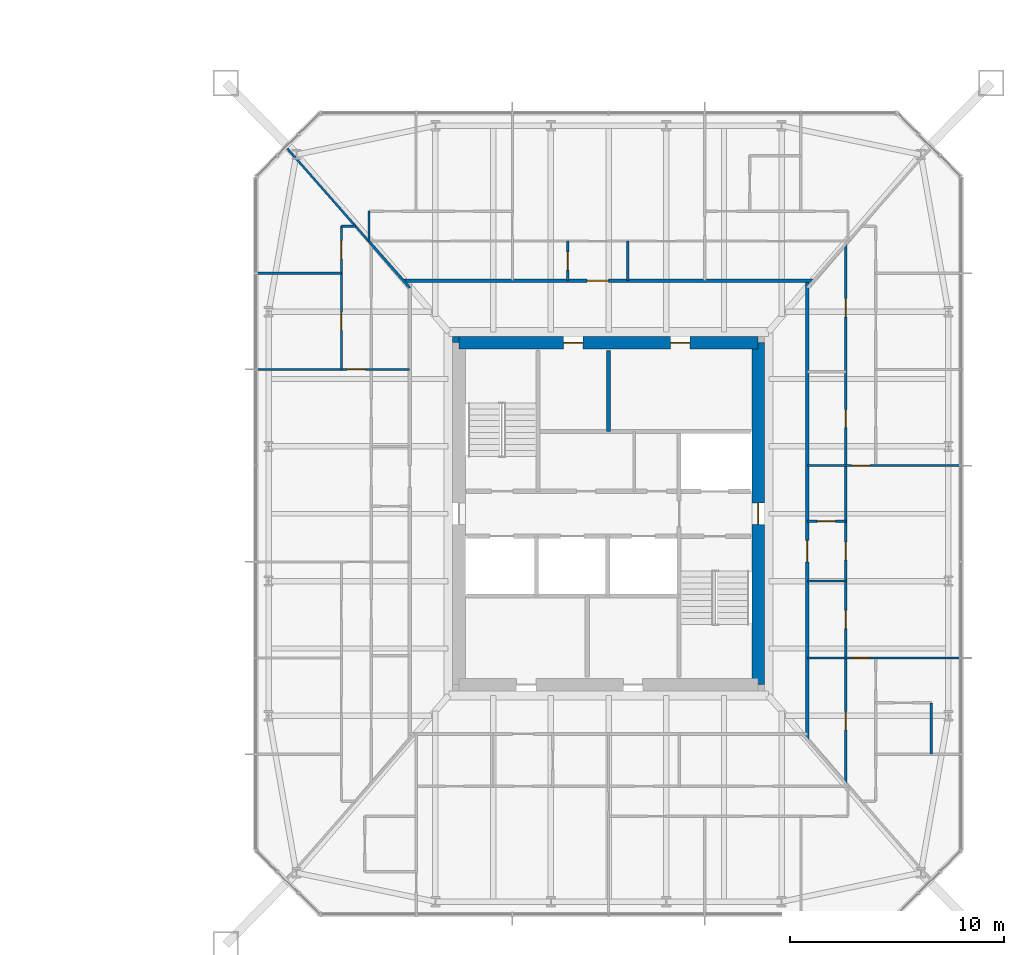
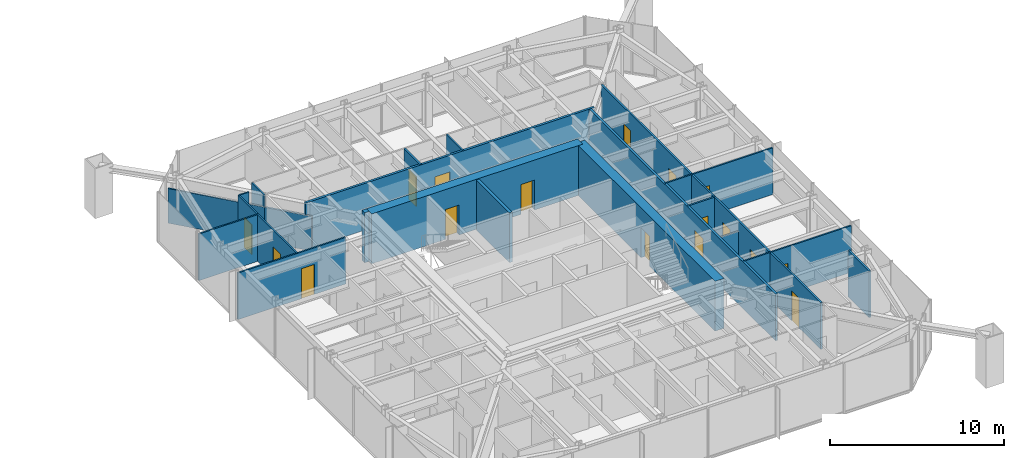
# One storey, part 20 of 26: 21 walls, 17 doors, 17 openings.
"""IFC4 building model written with IfcOpenShell, lengths in metres."""

from ifc_helpers import new_model, si_unit, direction, frame, frame_2d, origin, place, context, subcontext, project, spatial, rectangle, extrude, material, layer, layer_set, type_object, element, fill, save


model = new_model("IFC4")

# Units and contexts
model_context = context("Model", 3, precision=1e-05, world=origin(), true_north=direction((0.0, 1.0)))
body_context = subcontext(model_context, "Body", "Model", "MODEL_VIEW")
ifc_project = project(units=[si_unit("LENGTHUNIT", "METRE"), si_unit("AREAUNIT", "SQUARE_METRE"), si_unit("VOLUMEUNIT", "CUBIC_METRE"), si_unit("PLANEANGLEUNIT", "RADIAN"), si_unit("MASSUNIT", "GRAM", prefix="KILO")], contexts=[model_context])

# Site, building, storey
site_placement = place(None, origin())
site = spatial("IfcSite", under=ifc_project, at=site_placement, CompositionType="ELEMENT")
building_placement = place(site_placement, origin())
building = spatial("IfcBuilding", under=site, at=building_placement, Name="Iwan Alto Co-Living Towers", CompositionType="ELEMENT")
storey_placement = place(building_placement, frame((0.0, 0.0, 36.0)))
storey = spatial("IfcBuildingStorey", under=building, at=storey_placement, Name="L09", CompositionType="ELEMENT", Elevation=36.0)

# Wall, opening, door
ifc_material_1 = material(Name="Gypsum board")
ifc_layer_1 = layer(ifc_material_1, 0.02490234375, Name="Board", Category="Finish")
ifc_material_2 = material(Name="Steel ASTM A1003 ST33H cold-formed studs", Category="steel")
ifc_layer_2 = layer(ifc_material_2, 0.10009765625, Name="Studs", Category="Framing")
ifc_layer_3 = layer(ifc_material_1, 0.02490234375, Name="Board", Category="Finish")
ifc_layer_set_1 = layer_set([ifc_layer_1, ifc_layer_2, ifc_layer_3], Name="CORRIDOR WALL 150")
wall_type_1 = type_object("IfcWallType", Name="CORRIDOR WALL 150", PredefinedType="PARTITIONING", material=ifc_layer_set_1)
wall_1_placement = place(storey_placement, frame((53.407958984375, 10.89990234375, 0.0), z_axis=(0.0, 0.0, 1.0), x_axis=(1.0, 0.0, 0.0)))
wall_1 = element("IfcWall", 1, at=wall_1_placement, inside=storey, type_object=wall_type_1, Name="Partition L09", PredefinedType="PARTITIONING", context=body_context, shape_type="SweptSolid", body=[
    extrude(rectangle(XDim=19.18408203125, YDim=0.14990234375, at=frame_2d((9.592041015625, 0.0))), origin(), (0.0, 0.0, 1.0), 3.27001953125),
])
opening_1_placement = place(wall_1_placement, frame((8.592041015625, 0.0, 0.0)))
opening_1 = element("IfcOpeningElement", 2, at=opening_1_placement, cuts=wall_1, Name="Opening D3", PredefinedType="OPENING", context=body_context, shape_type="SweptSolid", body=[
    extrude(rectangle(XDim=1.0, YDim=2.10009765625, at=frame_2d((0.5, 1.050048828125))), frame((0.0, 0.0849609375, 0.0), z_axis=(0.0, -1.0, 0.0), x_axis=(1.0, 0.0, 0.0)), (0.0, 0.0, 1.0), 0.169921875),
])
ifc_material_3 = material(Name="Steel frame with timber leaf", Category="steel")
door_type_1 = type_object("IfcDoorType", Name="FLAT ENTRANCE DOOR FD30S 1000X2100", OperationType="SINGLE_SWING_LEFT", PredefinedType="DOOR", material=ifc_material_3)
door_1_placement = place(opening_1_placement, origin())
door_1 = element("IfcDoor", 3, at=door_1_placement, inside=storey, type_object=door_type_1, Name="Apartment foyer door L09", OperationType="SINGLE_SWING_LEFT", OverallHeight=2.10009765625, OverallWidth=1.0, PredefinedType="DOOR", context=body_context, shape_type="SweptSolid", body=[
    extrude(rectangle(XDim=1.0, YDim=2.10009765625, at=frame_2d((0.5, 1.050048828125))), frame((0.0, 0.02490234375, 0.0), z_axis=(0.0, -1.0, 0.0), x_axis=(1.0, 0.0, 0.0)), (0.0, 0.0, 1.0), 0.050048828125),
])
fill(opening_1, door_1)

wall_2_placement = place(storey_placement, frame((72.300048828125, -10.568115234375, 0.0), z_axis=(0.0, 0.0, 1.0), x_axis=(0.0, 1.0, 0.0)))
wall_2 = element("IfcWall", 4, at=wall_2_placement, inside=storey, type_object=wall_type_1, Name="Partition L09", PredefinedType="PARTITIONING", context=body_context, shape_type="SweptSolid", body=[
    extrude(rectangle(XDim=21.468017578125, YDim=0.14990234375, at=frame_2d((10.73388671875, 0.0))), origin(), (0.0, 0.0, 1.0), 3.27001953125),
])
opening_2_placement = place(wall_2_placement, frame((8.318115234375, 0.0, 0.0)))
opening_2 = element("IfcOpeningElement", 5, at=opening_2_placement, cuts=wall_2, Name="Opening D3", PredefinedType="OPENING", context=body_context, shape_type="SweptSolid", body=[
    extrude(rectangle(XDim=1.0, YDim=2.10009765625, at=frame_2d((0.5, 1.050048828125))), frame((0.0, 0.0849609375, 0.0), z_axis=(0.0, -1.0, 0.0), x_axis=(1.0, 0.0, 0.0)), (0.0, 0.0, 1.0), 0.169921875),
])
door_2_placement = place(opening_2_placement, frame((1.0, 0.0, 0.0), z_axis=(0.0, 0.0, 1.0), x_axis=(-1.0, 0.0, 0.0)))
door_2 = element("IfcDoor", 6, at=door_2_placement, inside=storey, type_object=door_type_1, Name="Apartment foyer door L09", OperationType="SINGLE_SWING_RIGHT", OverallHeight=2.10009765625, OverallWidth=1.0, PredefinedType="DOOR", context=body_context, shape_type="SweptSolid", body=[
    extrude(rectangle(XDim=1.0, YDim=2.10009765625, at=frame_2d((0.5, 1.050048828125))), frame((0.0, 0.02490234375, 0.0), z_axis=(0.0, -1.0, 0.0), x_axis=(1.0, 0.0, 0.0)), (0.0, 0.0, 1.0), 0.050048828125),
])
fill(opening_2, door_2)

ifc_layer_4 = layer(ifc_material_1, 0.012451171875, Name="Board", Category="Finish")
ifc_layer_5 = layer(ifc_material_2, 0.074951171875, Name="Studs", Category="Framing")
ifc_layer_6 = layer(ifc_material_1, 0.012451171875, Name="Board", Category="Finish")
ifc_layer_set_2 = layer_set([ifc_layer_4, ifc_layer_5, ifc_layer_6], Name="PARTITION 100")
wall_type_2 = type_object("IfcWallType", Name="PARTITION 100", PredefinedType="PARTITIONING", material=ifc_layer_set_2)
wall_3_placement = place(storey_placement, frame((72.300048828125, -6.75, 0.0), z_axis=(0.0, 0.0, 1.0), x_axis=(1.0, 0.0, 0.0)))
wall_3 = element("IfcWall", 7, at=wall_3_placement, inside=storey, type_object=wall_type_2, Name="Partition L09", PredefinedType="PARTITIONING", context=body_context, shape_type="SweptSolid", body=[
    extrude(rectangle(XDim=7.139892578125, YDim=0.10009765625, at=frame_2d((3.56982421875, 0.0))), origin(), (0.0, 0.0, 1.0), 3.27001953125),
])
opening_3_placement = place(wall_3_placement, frame((2.074951171875, 0.0, 0.0)))
opening_3 = element("IfcOpeningElement", 8, at=opening_3_placement, cuts=wall_3, Name="Opening D2", PredefinedType="OPENING", context=body_context, shape_type="SweptSolid", body=[
    extrude(rectangle(XDim=0.85009765625, YDim=2.10009765625, at=frame_2d((0.425048828125, 1.050048828125))), frame((0.0, 0.06005859375, 0.0), z_axis=(0.0, -1.0, 0.0), x_axis=(1.0, 0.0, 0.0)), (0.0, 0.0, 1.0), 0.1201171875),
])
ifc_material_4 = material(Name="Timber leaf in steel frame", Category="steel")
door_type_2 = type_object("IfcDoorType", Name="ROOM DOOR 850X2100", OperationType="SINGLE_SWING_LEFT", PredefinedType="DOOR", material=ifc_material_4)
door_3_placement = place(opening_3_placement, origin())
door_3 = element("IfcDoor", 9, at=door_3_placement, inside=storey, type_object=door_type_2, Name="Apartment hall door L09", OperationType="SINGLE_SWING_LEFT", OverallHeight=2.10009765625, OverallWidth=0.85009765625, PredefinedType="DOOR", context=body_context, shape_type="SweptSolid", body=[
    extrude(rectangle(XDim=0.85009765625, YDim=2.10009765625, at=frame_2d((0.425048828125, 1.050048828125))), frame((0.0, 0.02490234375, 0.0), z_axis=(0.0, -1.0, 0.0), x_axis=(1.0, 0.0, 0.0)), (0.0, 0.0, 1.0), 0.050048828125),
])
fill(opening_3, door_3)

# Wall
wall_4_placement = place(storey_placement, frame((72.300048828125, -3.14990234375, 0.0), z_axis=(0.0, 0.0, 1.0), x_axis=(1.0, 0.0, 0.0)))
element("IfcWall", 10, at=wall_4_placement, inside=storey, type_object=wall_type_2, Name="Partition L09", PredefinedType="PARTITIONING", context=body_context, shape_type="SweptSolid", body=[
    extrude(rectangle(XDim=1.800048828125, YDim=0.10009765625, at=frame_2d((0.89990234375, 0.0))), origin(), (0.0, 0.0, 1.0), 2.586669921875),
])

# Wall, opening, door
wall_5_placement = place(storey_placement, frame((72.300048828125, 2.25, 0.0), z_axis=(0.0, 0.0, 1.0), x_axis=(1.0, 0.0, 0.0)))
wall_5 = element("IfcWall", 11, at=wall_5_placement, inside=storey, type_object=wall_type_2, Name="Partition L09", PredefinedType="PARTITIONING", context=body_context, shape_type="SweptSolid", body=[
    extrude(rectangle(XDim=7.139892578125, YDim=0.10009765625, at=frame_2d((3.56982421875, 0.0))), origin(), (0.0, 0.0, 1.0), 3.27001953125),
])
opening_4_placement = place(wall_5_placement, frame((2.074951171875, 0.0, 0.0)))
opening_4 = element("IfcOpeningElement", 12, at=opening_4_placement, cuts=wall_5, Name="Opening D2", PredefinedType="OPENING", context=body_context, shape_type="SweptSolid", body=[
    extrude(rectangle(XDim=0.85009765625, YDim=2.10009765625, at=frame_2d((0.425048828125, 1.050048828125))), frame((0.0, 0.06005859375, 0.0), z_axis=(0.0, -1.0, 0.0), x_axis=(1.0, 0.0, 0.0)), (0.0, 0.0, 1.0), 0.1201171875),
])
door_4_placement = place(opening_4_placement, frame((0.85009765625, 0.0, 0.0), z_axis=(0.0, 0.0, 1.0), x_axis=(-1.0, 0.0, 0.0)))
door_4 = element("IfcDoor", 13, at=door_4_placement, inside=storey, type_object=door_type_2, Name="Apartment hall door L09", OperationType="SINGLE_SWING_RIGHT", OverallHeight=2.10009765625, OverallWidth=0.85009765625, PredefinedType="DOOR", context=body_context, shape_type="SweptSolid", body=[
    extrude(rectangle(XDim=0.85009765625, YDim=2.10009765625, at=frame_2d((0.425048828125, 1.050048828125))), frame((0.0, 0.02490234375, 0.0), z_axis=(0.0, -1.0, 0.0), x_axis=(1.0, 0.0, 0.0)), (0.0, 0.0, 1.0), 0.050048828125),
])
fill(opening_4, door_4)

wall_6_placement = place(storey_placement, frame((46.56005859375, 6.75, 0.0), z_axis=(0.0, 0.0, 1.0), x_axis=(1.0, 0.0, 0.0)))
wall_6 = element("IfcWall", 14, at=wall_6_placement, inside=storey, type_object=wall_type_2, Name="Partition L09", PredefinedType="PARTITIONING", context=body_context, shape_type="SweptSolid", body=[
    extrude(rectangle(XDim=7.139892578125, YDim=0.10009765625, at=frame_2d((3.56982421875, 0.0))), origin(), (0.0, 0.0, 1.0), 3.27001953125),
])
opening_5_placement = place(wall_6_placement, frame((4.215087890625, 0.0, 0.0)))
opening_5 = element("IfcOpeningElement", 15, at=opening_5_placement, cuts=wall_6, Name="Opening D2", PredefinedType="OPENING", context=body_context, shape_type="SweptSolid", body=[
    extrude(rectangle(XDim=0.85009765625, YDim=2.10009765625, at=frame_2d((0.425048828125, 1.050048828125))), frame((0.0, 0.06005859375, 0.0), z_axis=(0.0, -1.0, 0.0), x_axis=(1.0, 0.0, 0.0)), (0.0, 0.0, 1.0), 0.1201171875),
])
door_5_placement = place(opening_5_placement, frame((0.85009765625, 0.0, 0.0), z_axis=(0.0, 0.0, 1.0), x_axis=(-1.0, 0.0, 0.0)))
door_5 = element("IfcDoor", 16, at=door_5_placement, inside=storey, type_object=door_type_2, Name="Apartment hall door L09", OperationType="SINGLE_SWING_LEFT", OverallHeight=2.10009765625, OverallWidth=0.85009765625, PredefinedType="DOOR", context=body_context, shape_type="SweptSolid", body=[
    extrude(rectangle(XDim=0.85009765625, YDim=2.10009765625, at=frame_2d((0.425048828125, 1.050048828125))), frame((0.0, 0.02490234375, 0.0), z_axis=(0.0, -1.0, 0.0), x_axis=(1.0, 0.0, 0.0)), (0.0, 0.0, 1.0), 0.050048828125),
])
fill(opening_5, door_5)

# Walls
wall_7_placement = place(storey_placement, frame((46.56005859375, 11.25, 0.0), z_axis=(0.0, 0.0, 1.0), x_axis=(1.0, 0.0, 0.0)))
element("IfcWall", 17, at=wall_7_placement, inside=storey, type_object=wall_type_2, Name="Partition L09", PredefinedType="PARTITIONING", context=body_context, shape_type="SweptSolid", body=[
    extrude(rectangle(XDim=3.93994140625, YDim=0.10009765625, at=frame_2d((1.969970703125, 0.0))), origin(), (0.0, 0.0, 1.0), 3.27001953125),
])
wall_8_placement = place(storey_placement, frame((50.5, 13.449951171875, 0.0), z_axis=(0.0, 0.0, 1.0), x_axis=(1.0, 0.0, 0.0)))
element("IfcWall", 18, at=wall_8_placement, inside=storey, type_object=wall_type_2, Name="Partition L09", PredefinedType="PARTITIONING", context=body_context, shape_type="SweptSolid", body=[
    extrude(rectangle(XDim=0.6640625, YDim=0.10009765625, at=frame_2d((0.33203125, 0.0))), origin(), (0.0, 0.0, 1.0), 3.27001953125),
])
wall_9_placement = place(storey_placement, frame((63.89990234375, 10.89990234375, 0.0), z_axis=(0.0, 0.0, 1.0), x_axis=(0.0, 1.0, 0.0)))
element("IfcWall", 19, at=wall_9_placement, inside=storey, type_object=wall_type_2, Name="Partition L09", PredefinedType="PARTITIONING", context=body_context, shape_type="SweptSolid", body=[
    extrude(rectangle(XDim=1.85009765625, YDim=0.10009765625, at=frame_2d((0.925048828125, 0.0))), origin(), (0.0, 0.0, 1.0), 3.27001953125),
])
wall_10_placement = place(storey_placement, frame((51.800048828125, 12.72705078125, 0.0), z_axis=(0.0, 0.0, 1.0), x_axis=(0.0, 1.0, 0.0)))
element("IfcWall", 20, at=wall_10_placement, inside=storey, type_object=wall_type_2, Name="Partition L09", PredefinedType="PARTITIONING", context=body_context, shape_type="SweptSolid", body=[
    extrude(rectangle(XDim=1.4228515625, YDim=0.10009765625, at=frame_2d((0.71142578125, 0.0))), origin(), (0.0, 0.0, 1.0), 3.27001953125),
])

# Wall, openings, doors
wall_11_placement = place(storey_placement, frame((50.5, 6.75, 0.0), z_axis=(0.0, 0.0, 1.0), x_axis=(0.0, 1.0, 0.0)))
wall_11 = element("IfcWall", 21, at=wall_11_placement, inside=storey, type_object=wall_type_2, Name="Partition L09", PredefinedType="PARTITIONING", context=body_context, shape_type="SweptSolid", body=[
    extrude(rectangle(XDim=6.699951171875, YDim=0.10009765625, at=frame_2d((3.35009765625, 0.0))), origin(), (0.0, 0.0, 1.0), 3.27001953125),
])
opening_6_placement = place(wall_11_placement, frame((1.824951171875, 0.0, 0.0)))
opening_6 = element("IfcOpeningElement", 22, at=opening_6_placement, cuts=wall_11, Name="Opening D2", PredefinedType="OPENING", context=body_context, shape_type="SweptSolid", body=[
    extrude(rectangle(XDim=0.85009765625, YDim=2.10009765625, at=frame_2d((0.425048828125, 1.050048828125))), frame((0.0, 0.06005859375, 0.0), z_axis=(0.0, -1.0, 0.0), x_axis=(1.0, 0.0, 0.0)), (0.0, 0.0, 1.0), 0.1201171875),
])
opening_7_placement = place(wall_11_placement, frame((5.175048828125, 0.0, 0.0)))
opening_7 = element("IfcOpeningElement", 23, at=opening_7_placement, cuts=wall_11, Name="Opening D2", PredefinedType="OPENING", context=body_context, shape_type="SweptSolid", body=[
    extrude(rectangle(XDim=0.85009765625, YDim=2.10009765625, at=frame_2d((0.425048828125, 1.050048828125))), frame((0.0, 0.06005859375, 0.0), z_axis=(0.0, -1.0, 0.0), x_axis=(1.0, 0.0, 0.0)), (0.0, 0.0, 1.0), 0.1201171875),
])
door_6_placement = place(opening_6_placement, origin())
door_6 = element("IfcDoor", 24, at=door_6_placement, inside=storey, type_object=door_type_2, Name="Study door L09", OperationType="SINGLE_SWING_LEFT", OverallHeight=2.10009765625, OverallWidth=0.85009765625, PredefinedType="DOOR", context=body_context, shape_type="SweptSolid", body=[
    extrude(rectangle(XDim=0.85009765625, YDim=2.10009765625, at=frame_2d((0.425048828125, 1.050048828125))), frame((0.0, 0.02490234375, 0.0), z_axis=(0.0, -1.0, 0.0), x_axis=(1.0, 0.0, 0.0)), (0.0, 0.0, 1.0), 0.050048828125),
])
fill(opening_6, door_6)
door_7_placement = place(opening_7_placement, origin())
door_7 = element("IfcDoor", 25, at=door_7_placement, inside=storey, type_object=door_type_2, Name="Bedroom door L09", OperationType="SINGLE_SWING_LEFT", OverallHeight=2.10009765625, OverallWidth=0.85009765625, PredefinedType="DOOR", context=body_context, shape_type="SweptSolid", body=[
    extrude(rectangle(XDim=0.85009765625, YDim=2.10009765625, at=frame_2d((0.425048828125, 1.050048828125))), frame((0.0, 0.02490234375, 0.0), z_axis=(0.0, -1.0, 0.0), x_axis=(1.0, 0.0, 0.0)), (0.0, 0.0, 1.0), 0.050048828125),
])
fill(opening_7, door_7)

# Walls
wall_12_placement = place(storey_placement, frame((51.801025390625, 12.72802734375, 0.0), z_axis=(0.0, 0.0, 1.0), x_axis=(-0.660267638736, 0.751030389024, 0.0)))
element("IfcWall", 26, at=wall_12_placement, inside=storey, type_object=wall_type_2, Name="Partition L09", PredefinedType="PARTITIONING", context=body_context, shape_type="SweptSolid", body=[
    extrude(rectangle(XDim=5.8369140625, YDim=0.10009765625, at=frame_2d((2.91845703125, 0.0))), origin(), (0.0, 0.0, 1.0), 2.42919921875),
])
ifc_material_5 = material(Name="Concrete f'c 70 MPa", Category="concrete")
ifc_layer_7 = layer(ifc_material_5, 0.199951171875)
ifc_layer_set_3 = layer_set([ifc_layer_7], Name="SHAFT WALL 200")
wall_type_3 = type_object("IfcWallType", Name="SHAFT WALL 200", PredefinedType="SOLIDWALL", material=ifc_layer_set_3)
wall_13_placement = place(storey_placement, frame((63.0, 3.85009765625, 0.0), z_axis=(0.0, 0.0, 1.0), x_axis=(0.0, 1.0, 0.0)))
element("IfcWall", 27, at=wall_13_placement, inside=storey, type_object=wall_type_3, Name="Shaft wall L09", PredefinedType="SOLIDWALL", context=body_context, shape_type="SweptSolid", body=[
    extrude(rectangle(XDim=3.789794921875, YDim=0.199951171875, at=frame_2d((1.89501953125, 0.0))), origin(), (0.0, 0.0, 1.0), 3.5),
])
ifc_material_6 = material(Name="Concrete f'c 70 MPa", Category="concrete")
ifc_layer_8 = layer(ifc_material_6, 0.300048828125)
ifc_layer_set_4 = layer_set([ifc_layer_8], Name="T2 CORE CORNER FILL 300")
wall_type_4 = type_object("IfcWallType", Name="T2 CORE CORNER FILL 300", PredefinedType="SOLIDWALL", material=ifc_layer_set_4)
wall_14_placement = place(storey_placement, frame((55.699951171875, 8.14990234375, 0.0), z_axis=(0.0, 0.0, 1.0), x_axis=(1.0, 0.0, 0.0)))
element("IfcWall", 28, at=wall_14_placement, inside=storey, type_object=wall_type_4, Name="T2 core corner NW L09", PredefinedType="SOLIDWALL", context=body_context, shape_type="SweptSolid", body=[
    extrude(rectangle(XDim=0.300048828125, YDim=0.300048828125, at=frame_2d((0.14990234375, 0.0))), origin(), (0.0, 0.0, 1.0), 3.5),
])

# Wall, openings, doors
ifc_material_7 = material(Name="Concrete f'c 70 MPa", Category="concrete")
ifc_layer_9 = layer(ifc_material_7, 0.60009765625)
ifc_layer_set_5 = layer_set([ifc_layer_9], Name="T2 CORE WALL 600")
wall_type_5 = type_object("IfcWallType", Name="T2 CORE WALL 600", PredefinedType="SHEAR", material=ifc_layer_set_5)
wall_15_placement = place(storey_placement, frame((70.0, 8.0, 0.0), z_axis=(0.0, 0.0, 1.0), x_axis=(-1.0, 0.0, 0.0)))
wall_15 = element("IfcWall", 29, at=wall_15_placement, inside=storey, type_object=wall_type_5, Name="T2 core wall N L09", PredefinedType="SHEAR", context=body_context, shape_type="SweptSolid", body=[
    extrude(rectangle(XDim=14.0, YDim=0.60009765625, at=frame_2d((7.0, 0.0))), origin(), (0.0, 0.0, 1.0), 3.5),
])
opening_8_placement = place(wall_15_placement, frame((8.199951171875, 0.0, 0.0)))
opening_8 = element("IfcOpeningElement", 30, at=opening_8_placement, cuts=wall_15, Name="Opening D8", PredefinedType="OPENING", context=body_context, shape_type="SweptSolid", body=[
    extrude(rectangle(XDim=0.89990234375, YDim=2.10009765625, at=frame_2d((0.449951171875, 1.050048828125))), frame((0.0, 0.31005859375, 0.0), z_axis=(0.0, -1.0, 0.0), x_axis=(1.0, 0.0, 0.0)), (0.0, 0.0, 1.0), 0.6201171875),
])
opening_9_placement = place(wall_15_placement, frame((3.199951171875, 0.0, 0.0)))
opening_9 = element("IfcOpeningElement", 31, at=opening_9_placement, cuts=wall_15, Name="Opening D8", PredefinedType="OPENING", context=body_context, shape_type="SweptSolid", body=[
    extrude(rectangle(XDim=0.89990234375, YDim=2.10009765625, at=frame_2d((0.449951171875, 1.050048828125))), frame((0.0, 0.31005859375, 0.0), z_axis=(0.0, -1.0, 0.0), x_axis=(1.0, 0.0, 0.0)), (0.0, 0.0, 1.0), 0.6201171875),
])
ifc_material_8 = material(Name="Steel frame with timber leaf", Category="steel")
door_type_3 = type_object("IfcDoorType", Name="RISER DOOR FD120 900X2100", OperationType="SINGLE_SWING_LEFT", PredefinedType="DOOR", material=ifc_material_8)
door_8_placement = place(opening_8_placement, origin())
door_8 = element("IfcDoor", 32, at=door_8_placement, inside=storey, type_object=door_type_3, Name="Electrical riser core door L09", OperationType="SINGLE_SWING_RIGHT", OverallHeight=2.10009765625, OverallWidth=0.89990234375, PredefinedType="DOOR", context=body_context, shape_type="SweptSolid", body=[
    extrude(rectangle(XDim=0.89990234375, YDim=2.10009765625, at=frame_2d((0.449951171875, 1.050048828125))), frame((0.0, 0.02490234375, 0.0), z_axis=(0.0, -1.0, 0.0), x_axis=(1.0, 0.0, 0.0)), (0.0, 0.0, 1.0), 0.050048828125),
])
fill(opening_8, door_8)
door_9_placement = place(opening_9_placement, origin())
door_9 = element("IfcDoor", 33, at=door_9_placement, inside=storey, type_object=door_type_3, Name="Water and drainage riser core door L09", OperationType="SINGLE_SWING_RIGHT", OverallHeight=2.10009765625, OverallWidth=0.89990234375, PredefinedType="DOOR", context=body_context, shape_type="SweptSolid", body=[
    extrude(rectangle(XDim=0.89990234375, YDim=2.10009765625, at=frame_2d((0.449951171875, 1.050048828125))), frame((0.0, 0.02490234375, 0.0), z_axis=(0.0, -1.0, 0.0), x_axis=(1.0, 0.0, 0.0)), (0.0, 0.0, 1.0), 0.050048828125),
])
fill(opening_9, door_9)

# Wall, opening, door
wall_16_placement = place(storey_placement, frame((70.0, -8.0, 0.0), z_axis=(0.0, 0.0, 1.0), x_axis=(0.0, 1.0, 0.0)))
wall_16 = element("IfcWall", 34, at=wall_16_placement, inside=storey, type_object=wall_type_5, Name="T2 core wall E L09", PredefinedType="SHEAR", context=body_context, shape_type="SweptSolid", body=[
    extrude(rectangle(XDim=16.0, YDim=0.60009765625, at=frame_2d((8.0, 0.0))), origin(), (0.0, 0.0, 1.0), 3.5),
])
opening_10_placement = place(wall_16_placement, frame((7.5, 0.0, 0.0)))
opening_10 = element("IfcOpeningElement", 35, at=opening_10_placement, cuts=wall_16, Name="Opening D7", PredefinedType="OPENING", context=body_context, shape_type="SweptSolid", body=[
    extrude(rectangle(XDim=1.0, YDim=2.10009765625, at=frame_2d((0.5, 1.050048828125))), frame((0.0, 0.31005859375, 0.0), z_axis=(0.0, -1.0, 0.0), x_axis=(1.0, 0.0, 0.0)), (0.0, 0.0, 1.0), 0.6201171875),
])
ifc_material_9 = material(Name="Steel frame with timber leaf", Category="steel")
door_type_4 = type_object("IfcDoorType", Name="CORE DOOR FD120S 1000X2100", OperationType="SINGLE_SWING_LEFT", PredefinedType="DOOR", material=ifc_material_9)
door_10_placement = place(opening_10_placement, origin())
door_10 = element("IfcDoor", 36, at=door_10_placement, inside=storey, type_object=door_type_4, Name="Firefighting lobby core door L09", OperationType="SINGLE_SWING_LEFT", OverallHeight=2.10009765625, OverallWidth=1.0, PredefinedType="DOOR", context=body_context, shape_type="SweptSolid", body=[
    extrude(rectangle(XDim=1.0, YDim=2.10009765625, at=frame_2d((0.5, 1.050048828125))), frame((0.0, 0.02490234375, 0.0), z_axis=(0.0, -1.0, 0.0), x_axis=(1.0, 0.0, 0.0)), (0.0, 0.0, 1.0), 0.050048828125),
])
fill(opening_10, door_10)

ifc_material_10 = material(Name="Cement board")
ifc_layer_10 = layer(ifc_material_10, 0.012451171875, Name="Board", Category="Finish")
ifc_layer_11 = layer(ifc_material_2, 0.094970703125, Name="Studs", Category="Framing")
ifc_layer_12 = layer(ifc_material_10, 0.012451171875, Name="Board", Category="Finish")
ifc_layer_set_6 = layer_set([ifc_layer_10, ifc_layer_11, ifc_layer_12], Name="WET AREA PARTITION 120")
wall_type_6 = type_object("IfcWallType", Name="WET AREA PARTITION 120", PredefinedType="PARTITIONING", material=ifc_layer_set_6)
wall_17_placement = place(storey_placement, frame((72.300048828125, -0.35009765625, 0.0), z_axis=(0.0, 0.0, 1.0), x_axis=(1.0, 0.0, 0.0)))
wall_17 = element("IfcWall", 37, at=wall_17_placement, inside=storey, type_object=wall_type_6, Name="Partition L09", PredefinedType="PARTITIONING", context=body_context, shape_type="SweptSolid", body=[
    extrude(rectangle(XDim=1.800048828125, YDim=0.1201171875, at=frame_2d((0.89990234375, 0.0))), origin(), (0.0, 0.0, 1.0), 3.27001953125),
])
opening_11_placement = place(wall_17_placement, frame((0.47509765625, 0.0, 0.0)))
opening_11 = element("IfcOpeningElement", 38, at=opening_11_placement, cuts=wall_17, Name="Opening D2", PredefinedType="OPENING", context=body_context, shape_type="SweptSolid", body=[
    extrude(rectangle(XDim=0.85009765625, YDim=2.10009765625, at=frame_2d((0.425048828125, 1.050048828125))), frame((0.0, 0.070068359375, 0.0), z_axis=(0.0, -1.0, 0.0), x_axis=(1.0, 0.0, 0.0)), (0.0, 0.0, 1.0), 0.14013671875),
])
door_11_placement = place(opening_11_placement, origin())
door_11 = element("IfcDoor", 39, at=door_11_placement, inside=storey, type_object=door_type_2, Name="Bathroom door L09", OperationType="SINGLE_SWING_LEFT", OverallHeight=2.10009765625, OverallWidth=0.85009765625, PredefinedType="DOOR", context=body_context, shape_type="SweptSolid", body=[
    extrude(rectangle(XDim=0.85009765625, YDim=2.10009765625, at=frame_2d((0.425048828125, 1.050048828125))), frame((0.0, 0.02490234375, 0.0), z_axis=(0.0, -1.0, 0.0), x_axis=(1.0, 0.0, 0.0)), (0.0, 0.0, 1.0), 0.050048828125),
])
fill(opening_11, door_11)

# Wall
wall_18_placement = place(storey_placement, frame((78.10009765625, -11.25, 0.0), z_axis=(0.0, 0.0, 1.0), x_axis=(0.0, 1.0, 0.0)))
element("IfcWall", 40, at=wall_18_placement, inside=storey, type_object=wall_type_6, Name="Partition L09", PredefinedType="PARTITIONING", context=body_context, shape_type="SweptSolid", body=[
    extrude(rectangle(XDim=2.39990234375, YDim=0.1201171875, at=frame_2d((1.199951171875, 0.0))), origin(), (0.0, 0.0, 1.0), 3.27001953125),
])

# Wall, openings, doors
wall_19_placement = place(storey_placement, frame((74.10009765625, -12.614013671875, 0.0), z_axis=(0.0, 0.0, 1.0), x_axis=(0.0, 1.0, 0.0)))
wall_19 = element("IfcWall", 41, at=wall_19_placement, inside=storey, type_object=wall_type_6, Name="Partition L09", PredefinedType="PARTITIONING", context=body_context, shape_type="SweptSolid", body=[
    extrude(rectangle(XDim=25.22802734375, YDim=0.1201171875, at=frame_2d((12.614013671875, 0.0))), origin(), (0.0, 0.0, 1.0), 3.27001953125),
])
opening_12_placement = place(wall_19_placement, frame((7.239013671875, 0.0, 0.0)))
opening_12 = element("IfcOpeningElement", 42, at=opening_12_placement, cuts=wall_19, Name="Opening D2", PredefinedType="OPENING", context=body_context, shape_type="SweptSolid", body=[
    extrude(rectangle(XDim=0.85009765625, YDim=2.10009765625, at=frame_2d((0.425048828125, 1.050048828125))), frame((0.0, 0.070068359375, 0.0), z_axis=(0.0, -1.0, 0.0), x_axis=(1.0, 0.0, 0.0)), (0.0, 0.0, 1.0), 0.14013671875),
])
opening_13_placement = place(wall_19_placement, frame((10.43896484375, 0.0, 0.0)))
opening_13 = element("IfcOpeningElement", 43, at=opening_13_placement, cuts=wall_19, Name="Opening D2", PredefinedType="OPENING", context=body_context, shape_type="SweptSolid", body=[
    extrude(rectangle(XDim=0.85009765625, YDim=2.10009765625, at=frame_2d((0.425048828125, 1.050048828125))), frame((0.0, 0.070068359375, 0.0), z_axis=(0.0, -1.0, 0.0), x_axis=(1.0, 0.0, 0.0)), (0.0, 0.0, 1.0), 0.14013671875),
])
opening_14_placement = place(wall_19_placement, frame((2.507080078125, 0.0, 0.0)))
opening_14 = element("IfcOpeningElement", 44, at=opening_14_placement, cuts=wall_19, Name="Opening D2", PredefinedType="OPENING", context=body_context, shape_type="SweptSolid", body=[
    extrude(rectangle(XDim=0.85009765625, YDim=2.10009765625, at=frame_2d((0.425048828125, 1.050048828125))), frame((0.0, 0.070068359375, 0.0), z_axis=(0.0, -1.0, 0.0), x_axis=(1.0, 0.0, 0.0)), (0.0, 0.0, 1.0), 0.14013671875),
])
opening_15_placement = place(wall_19_placement, frame((16.638916015625, 0.0, 0.0)))
opening_15 = element("IfcOpeningElement", 45, at=opening_15_placement, cuts=wall_19, Name="Opening D2", PredefinedType="OPENING", context=body_context, shape_type="SweptSolid", body=[
    extrude(rectangle(XDim=0.85009765625, YDim=2.10009765625, at=frame_2d((0.425048828125, 1.050048828125))), frame((0.0, 0.070068359375, 0.0), z_axis=(0.0, -1.0, 0.0), x_axis=(1.0, 0.0, 0.0)), (0.0, 0.0, 1.0), 0.14013671875),
])
opening_16_placement = place(wall_19_placement, frame((21.821044921875, 0.0, 0.0)))
opening_16 = element("IfcOpeningElement", 46, at=opening_16_placement, cuts=wall_19, Name="Opening D2", PredefinedType="OPENING", context=body_context, shape_type="SweptSolid", body=[
    extrude(rectangle(XDim=0.85009765625, YDim=2.10009765625, at=frame_2d((0.425048828125, 1.050048828125))), frame((0.0, 0.070068359375, 0.0), z_axis=(0.0, -1.0, 0.0), x_axis=(1.0, 0.0, 0.0)), (0.0, 0.0, 1.0), 0.14013671875),
])
door_12_placement = place(opening_12_placement, frame((0.85009765625, 0.0, 0.0), z_axis=(0.0, 0.0, 1.0), x_axis=(-1.0, 0.0, 0.0)))
door_12 = element("IfcDoor", 47, at=door_12_placement, inside=storey, type_object=door_type_2, Name="Kitchen door L09", OperationType="SINGLE_SWING_RIGHT", OverallHeight=2.10009765625, OverallWidth=0.85009765625, PredefinedType="DOOR", context=body_context, shape_type="SweptSolid", body=[
    extrude(rectangle(XDim=0.85009765625, YDim=2.10009765625, at=frame_2d((0.425048828125, 1.050048828125))), frame((0.0, 0.02490234375, 0.0), z_axis=(0.0, -1.0, 0.0), x_axis=(1.0, 0.0, 0.0)), (0.0, 0.0, 1.0), 0.050048828125),
])
fill(opening_12, door_12)
door_13_placement = place(opening_13_placement, frame((0.85009765625, 0.0, 0.0), z_axis=(0.0, 0.0, 1.0), x_axis=(-1.0, 0.0, 0.0)))
door_13 = element("IfcDoor", 48, at=door_13_placement, inside=storey, type_object=door_type_2, Name="Apartment foyer door L09", OperationType="SINGLE_SWING_LEFT", OverallHeight=2.10009765625, OverallWidth=0.85009765625, PredefinedType="DOOR", context=body_context, shape_type="SweptSolid", body=[
    extrude(rectangle(XDim=0.85009765625, YDim=2.10009765625, at=frame_2d((0.425048828125, 1.050048828125))), frame((0.0, 0.02490234375, 0.0), z_axis=(0.0, -1.0, 0.0), x_axis=(1.0, 0.0, 0.0)), (0.0, 0.0, 1.0), 0.050048828125),
])
fill(opening_13, door_13)
door_14_placement = place(opening_14_placement, origin())
door_14 = element("IfcDoor", 49, at=door_14_placement, inside=storey, type_object=door_type_2, Name="Utility room door L09", OperationType="SINGLE_SWING_LEFT", OverallHeight=2.10009765625, OverallWidth=0.85009765625, PredefinedType="DOOR", context=body_context, shape_type="SweptSolid", body=[
    extrude(rectangle(XDim=0.85009765625, YDim=2.10009765625, at=frame_2d((0.425048828125, 1.050048828125))), frame((0.0, 0.02490234375, 0.0), z_axis=(0.0, -1.0, 0.0), x_axis=(1.0, 0.0, 0.0)), (0.0, 0.0, 1.0), 0.050048828125),
])
fill(opening_14, door_14)
door_15_placement = place(opening_15_placement, origin())
door_15 = element("IfcDoor", 50, at=door_15_placement, inside=storey, type_object=door_type_2, Name="Utility room door L09", OperationType="SINGLE_SWING_LEFT", OverallHeight=2.10009765625, OverallWidth=0.85009765625, PredefinedType="DOOR", context=body_context, shape_type="SweptSolid", body=[
    extrude(rectangle(XDim=0.85009765625, YDim=2.10009765625, at=frame_2d((0.425048828125, 1.050048828125))), frame((0.0, 0.02490234375, 0.0), z_axis=(0.0, -1.0, 0.0), x_axis=(1.0, 0.0, 0.0)), (0.0, 0.0, 1.0), 0.050048828125),
])
fill(opening_15, door_15)
door_16_placement = place(opening_16_placement, origin())
door_16 = element("IfcDoor", 51, at=door_16_placement, inside=storey, type_object=door_type_2, Name="Store room door L09", OperationType="SINGLE_SWING_RIGHT", OverallHeight=2.10009765625, OverallWidth=0.85009765625, PredefinedType="DOOR", context=body_context, shape_type="SweptSolid", body=[
    extrude(rectangle(XDim=0.85009765625, YDim=2.10009765625, at=frame_2d((0.425048828125, 1.050048828125))), frame((0.0, 0.02490234375, 0.0), z_axis=(0.0, -1.0, 0.0), x_axis=(1.0, 0.0, 0.0)), (0.0, 0.0, 1.0), 0.050048828125),
])
fill(opening_16, door_16)

# Wall, opening, door
wall_20_placement = place(storey_placement, frame((61.10009765625, 10.89990234375, 0.0), z_axis=(0.0, 0.0, 1.0), x_axis=(0.0, 1.0, 0.0)))
wall_20 = element("IfcWall", 52, at=wall_20_placement, inside=storey, type_object=wall_type_6, Name="Partition L09", PredefinedType="PARTITIONING", context=body_context, shape_type="SweptSolid", body=[
    extrude(rectangle(XDim=1.85009765625, YDim=0.1201171875, at=frame_2d((0.925048828125, 0.0))), origin(), (0.0, 0.0, 1.0), 3.27001953125),
])
opening_17_placement = place(wall_20_placement, frame((0.5, 0.0, 0.0)))
opening_17 = element("IfcOpeningElement", 53, at=opening_17_placement, cuts=wall_20, Name="Opening D2", PredefinedType="OPENING", context=body_context, shape_type="SweptSolid", body=[
    extrude(rectangle(XDim=0.85009765625, YDim=2.10009765625, at=frame_2d((0.425048828125, 1.050048828125))), frame((0.0, 0.070068359375, 0.0), z_axis=(0.0, -1.0, 0.0), x_axis=(1.0, 0.0, 0.0)), (0.0, 0.0, 1.0), 0.14013671875),
])
door_17_placement = place(opening_17_placement, origin())
door_17 = element("IfcDoor", 54, at=door_17_placement, inside=storey, type_object=door_type_2, Name="Bathroom door L09", OperationType="SINGLE_SWING_LEFT", OverallHeight=2.10009765625, OverallWidth=0.85009765625, PredefinedType="DOOR", context=body_context, shape_type="SweptSolid", body=[
    extrude(rectangle(XDim=0.85009765625, YDim=2.10009765625, at=frame_2d((0.425048828125, 1.050048828125))), frame((0.0, 0.02490234375, 0.0), z_axis=(0.0, -1.0, 0.0), x_axis=(1.0, 0.0, 0.0)), (0.0, 0.0, 1.0), 0.050048828125),
])
fill(opening_17, door_17)

# Wall
wall_21_placement = place(storey_placement, frame((53.699951171875, 10.568115234375, 0.0), z_axis=(0.0, 0.0, 1.0), x_axis=(-0.660275707921, 0.751023294931, 0.0)))
element("IfcWall", 55, at=wall_21_placement, inside=storey, type_object=wall_type_6, Name="Partition L09", PredefinedType="PARTITIONING", context=body_context, shape_type="SweptSolid", body=[
    extrude(rectangle(XDim=2.8759765625, YDim=0.1201171875, at=frame_2d((1.43798828125, 0.0))), origin(), (0.0, 0.0, 1.0), 2.42919921875),
])

save(model, "model.ifc")
